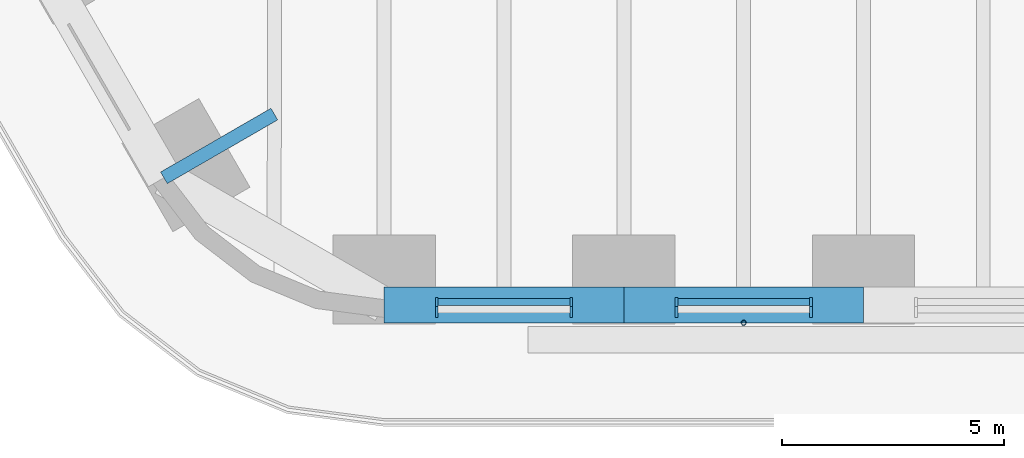
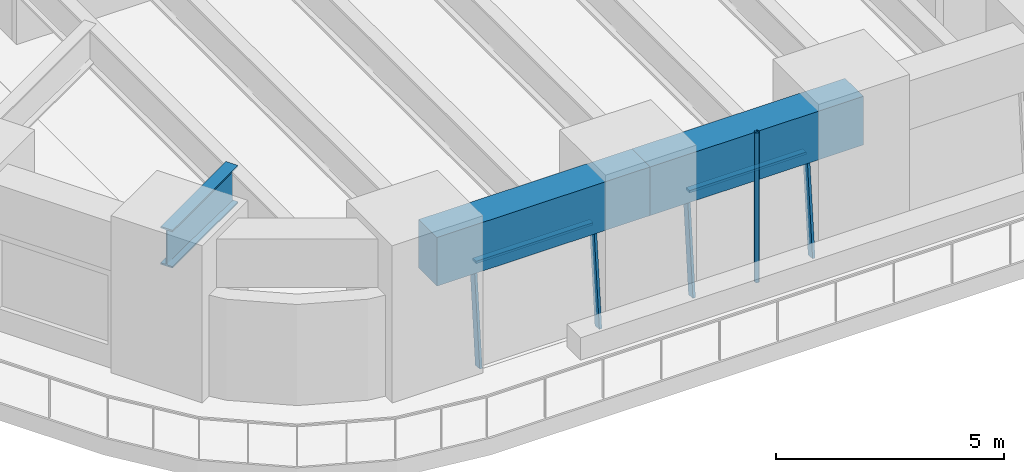
# One storey, part 2 of 23: 7 members, 3 beams, 2 elements without a shape of their own.
"""IFC4 building model written with IfcOpenShell, lengths in metres."""

from ifc_helpers import new_model, si_unit, direction, frame, origin, origin_2d, place, context, subcontext, project, spatial, rectangle, hollow_circle, i_section, extrude, material, material_profile, profile_set, type_object, element, aggregate, save


model = new_model("IFC4")

# Units and contexts
model_context = context("Model", 3, precision=1e-05, world=origin(), true_north=direction((0.0, 1.0)))
body_context = subcontext(model_context, "Body", "Model", "MODEL_VIEW")
ifc_project = project(units=[si_unit("LENGTHUNIT", "METRE"), si_unit("AREAUNIT", "SQUARE_METRE"), si_unit("VOLUMEUNIT", "CUBIC_METRE"), si_unit("PLANEANGLEUNIT", "RADIAN"), si_unit("MASSUNIT", "GRAM", prefix="KILO")], contexts=[model_context])

# Site, building, storey
site_placement = place(None, origin())
site = spatial("IfcSite", under=ifc_project, at=site_placement, CompositionType="ELEMENT")
building_placement = place(site_placement, origin())
building = spatial("IfcBuilding", under=site, at=building_placement, Name="Tarfa Lantern Tower", CompositionType="ELEMENT")
storey_placement = place(building_placement, frame((0.0, 0.0, 36.10009765625)))
storey = spatial("IfcBuildingStorey", under=building, at=storey_placement, Name="L07", CompositionType="ELEMENT", Elevation=36.10009765625)

# Curtain wall, members
ifc_material_1 = material(Name="Aluminium framed curtain wall", Category="aluminium")
curtain_wall_type = type_object("IfcCurtainWallType", Name="CW1 CANTED GLAZING LOW ZONE 2700", PredefinedType="USERDEFINED", material=ifc_material_1)
curtain_wall_1_placement = place(storey_placement, origin())
curtain_wall_1 = element("IfcCurtainWall", 1, at=curtain_wall_1_placement, inside=storey, type_object=curtain_wall_type, Name="CW1 S L07", ObjectType="CURTAIN WALL", PredefinedType="USERDEFINED")
ifc_material_2 = material(Name="Aluminium mullion", Category="aluminium")
ifc_material_profile_1 = material_profile(ifc_material_2, rectangle(XDim=0.06494140625, YDim=0.199951171875, at=origin_2d()), Name="AL MULLION 65x200")
ifc_profile_set_1 = profile_set([ifc_material_profile_1], Name="Aluminium mullion")
member_type_1 = type_object("IfcMemberType", Name="CWM1 MULLION 65x200", PredefinedType="MULLION", material=ifc_profile_set_1)
member_1_placement = place(storey_placement, frame((-14.9833984375, -33.89990234375, 0.0), z_axis=(0.0, 0.092199863775, 0.995740520979), x_axis=(-1.0, 0.0, 0.0)))
member_1 = element("IfcMember", 2, at=member_1_placement, type_object=member_type_1, Name="CW1 mullion 1", PredefinedType="MULLION", context=body_context, shape_type="SweptSolid", body=[
    extrude(rectangle(XDim=0.06494140625, YDim=0.199951171875, at=origin_2d()), origin(), (0.0, 0.0, 1.0), 2.71142578125),
])
member_2_placement = place(storey_placement, frame((-11.959716796875, -33.89990234375, 0.0), z_axis=(0.0, 0.092199863775, 0.995740520979), x_axis=(-1.0, 0.0, 0.0)))
member_2 = element("IfcMember", 3, at=member_2_placement, type_object=member_type_1, Name="CW1 mullion 2", PredefinedType="MULLION", context=body_context, shape_type="SweptSolid", body=[
    extrude(rectangle(XDim=0.06494140625, YDim=0.199951171875, at=origin_2d()), origin(), (0.0, 0.0, 1.0), 2.71142578125),
])

curtain_wall_2_placement = place(storey_placement, origin())
curtain_wall_2 = element("IfcCurtainWall", 4, at=curtain_wall_2_placement, inside=storey, type_object=curtain_wall_type, Name="CW1 S L07", ObjectType="CURTAIN WALL", PredefinedType="USERDEFINED")
member_3_placement = place(storey_placement, frame((-9.5947265625, -33.89990234375, 0.0), z_axis=(0.0, 0.092199863775, 0.995740520979), x_axis=(-1.0, 0.0, 0.0)))
member_3 = element("IfcMember", 5, at=member_3_placement, type_object=member_type_1, Name="CW1 mullion 1", PredefinedType="MULLION", context=body_context, shape_type="SweptSolid", body=[
    extrude(rectangle(XDim=0.06494140625, YDim=0.199951171875, at=origin_2d()), origin(), (0.0, 0.0, 1.0), 2.71142578125),
])
member_4_placement = place(storey_placement, frame((-6.571044921875, -33.89990234375, 0.0), z_axis=(0.0, 0.092199863775, 0.995740520979), x_axis=(-1.0, 0.0, 0.0)))
member_4 = element("IfcMember", 6, at=member_4_placement, type_object=member_type_1, Name="CW1 mullion 2", PredefinedType="MULLION", context=body_context, shape_type="SweptSolid", body=[
    extrude(rectangle(XDim=0.06494140625, YDim=0.199951171875, at=origin_2d()), origin(), (0.0, 0.0, 1.0), 2.71142578125),
])

# Member
ifc_material_3 = material(Name="Aluminium transom", Category="aluminium")
ifc_material_profile_2 = material_profile(ifc_material_3, rectangle(XDim=0.14990234375, YDim=0.06494140625, at=origin_2d()), Name="AL TRANSOM 150x65")
ifc_profile_set_2 = profile_set([ifc_material_profile_2], Name="Aluminium transom")
member_type_2 = type_object("IfcMemberType", Name="CWT1 TRANSOM 150x65", PredefinedType="USERDEFINED", material=ifc_profile_set_2)
member_5_placement = place(storey_placement, frame((-14.950927734375, -33.653076171875, 2.66748046875), z_axis=(1.0, 0.0, 0.0), x_axis=(0.0, 1.0, 0.0)))
member_5 = element("IfcMember", 7, at=member_5_placement, type_object=member_type_2, Name="CW1 transom 1.2", ObjectType="TRANSOM", PredefinedType="USERDEFINED", context=body_context, shape_type="SweptSolid", body=[
    extrude(rectangle(XDim=0.14990234375, YDim=0.06494140625, at=origin_2d()), origin(), (0.0, 0.0, 1.0), 2.958740234375),
])

aggregate(curtain_wall_1, [member_1, member_2, member_5])

member_6_placement = place(storey_placement, frame((-9.562255859375, -33.653076171875, 2.66748046875), z_axis=(1.0, 0.0, 0.0), x_axis=(0.0, 1.0, 0.0)))
member_6 = element("IfcMember", 8, at=member_6_placement, type_object=member_type_2, Name="CW1 transom 1.2", ObjectType="TRANSOM", PredefinedType="USERDEFINED", context=body_context, shape_type="SweptSolid", body=[
    extrude(rectangle(XDim=0.14990234375, YDim=0.06494140625, at=origin_2d()), origin(), (0.0, 0.0, 1.0), 2.958740234375),
])

aggregate(curtain_wall_2, [member_3, member_4, member_6])

# Beams
ifc_material_4 = material(Name="Concrete C80/95", Category="concrete")
ifc_material_profile_3 = material_profile(ifc_material_4, rectangle(XDim=0.800048828125, YDim=1.300048828125, at=origin_2d()), Name="RC 800x1300")
ifc_profile_set_3 = profile_set([ifc_material_profile_3], Name="Concrete C80/95")
beam_type_1 = type_object("IfcBeamType", Name="EB1 RC 800x1300", PredefinedType="SPANDREL", material=ifc_profile_set_3)
beam_1_placement = place(storey_placement, frame((-16.165771484375, -33.719970703125, 3.349853515625), z_axis=(1.0, 0.0, 0.0), x_axis=(0.0, 1.0, 0.0)))
element("IfcBeam", 9, at=beam_1_placement, inside=storey, type_object=beam_type_1, Name="Edge beam S0", PredefinedType="SPANDREL", context=body_context, shape_type="SweptSolid", body=[
    extrude(rectangle(XDim=0.800048828125, YDim=1.300048828125, at=origin_2d()), origin(), (0.0, 0.0, 1.0), 5.388671875),
])
beam_2_placement = place(storey_placement, frame((-10.777099609375, -33.719970703125, 3.349853515625), z_axis=(1.0, 0.0, 0.0), x_axis=(0.0, 1.0, 0.0)))
element("IfcBeam", 10, at=beam_2_placement, inside=storey, type_object=beam_type_1, Name="Edge beam S1", PredefinedType="SPANDREL", context=body_context, shape_type="SweptSolid", body=[
    extrude(rectangle(XDim=0.800048828125, YDim=1.300048828125, at=origin_2d()), origin(), (0.0, 0.0, 1.0), 5.388427734375),
])

# Member
ifc_material_5 = material(Name="Steel S355", Category="steel")
ifc_material_profile_4 = material_profile(ifc_material_5, hollow_circle(Radius=0.05712890625, WallThickness=0.00634765625, at=origin_2d()), Name="CHS114.3x6.3")
ifc_profile_set_4 = profile_set([ifc_material_profile_4], Name="Steel S355")
member_type_3 = type_object("IfcMemberType", Name="TR1 GREEN WALL TRELLIS CHS114.3x6.3", PredefinedType="USERDEFINED", material=ifc_profile_set_4)
member_7_placement = place(storey_placement, frame((-8.0830078125, -34.1201171875, 0.0), z_axis=(0.0, 0.0, 1.0), x_axis=(1.0, 0.0, 0.0)))
element("IfcMember", 11, at=member_7_placement, inside=storey, type_object=member_type_3, Name="Trellis post S 1", ObjectType="TRELLIS", PredefinedType="USERDEFINED", context=body_context, shape_type="SweptSolid", body=[
    extrude(hollow_circle(Radius=0.05712890625, WallThickness=0.00634765625, at=origin_2d()), origin(), (0.0, 0.0, 1.0), 4.0),
])

# Beam
ifc_material_6 = material(Name="Steel S460M", Category="steel")
ifc_material_profile_5 = material_profile(ifc_material_6, i_section(OverallWidth=0.302001953125, OverallDepth=1.008056640625, WebThickness=0.02099609375, FlangeThickness=0.0400390625, FilletRadius=0.030029296875, at=origin_2d()), Name="UB1016x305x349")
ifc_profile_set_5 = profile_set([ifc_material_profile_5], Name="Steel S460M")
beam_type_2 = type_object("IfcBeamType", Name="UB1016x305x349", PredefinedType="BEAM", material=ifc_profile_set_5)
beam_3_placement = place(storey_placement, frame((-21.119384765625, -30.860107421875, 3.495849609375), z_axis=(0.866012580594, 0.500022209759, 0.0), x_axis=(-0.500022209759, 0.866012580594, 0.0)))
element("IfcBeam", 12, at=beam_3_placement, inside=storey, type_object=beam_type_2, Name="Floor beam SW6", PredefinedType="BEAM", context=body_context, shape_type="SweptSolid", body=[
    extrude(i_section(OverallWidth=0.302001953125, OverallDepth=1.008056640625, WebThickness=0.02099609375, FlangeThickness=0.0400390625, FilletRadius=0.030029296875, at=origin_2d()), origin(), (0.0, 0.0, 1.0), 2.866943359375),
])

save(model, "model.ifc")
